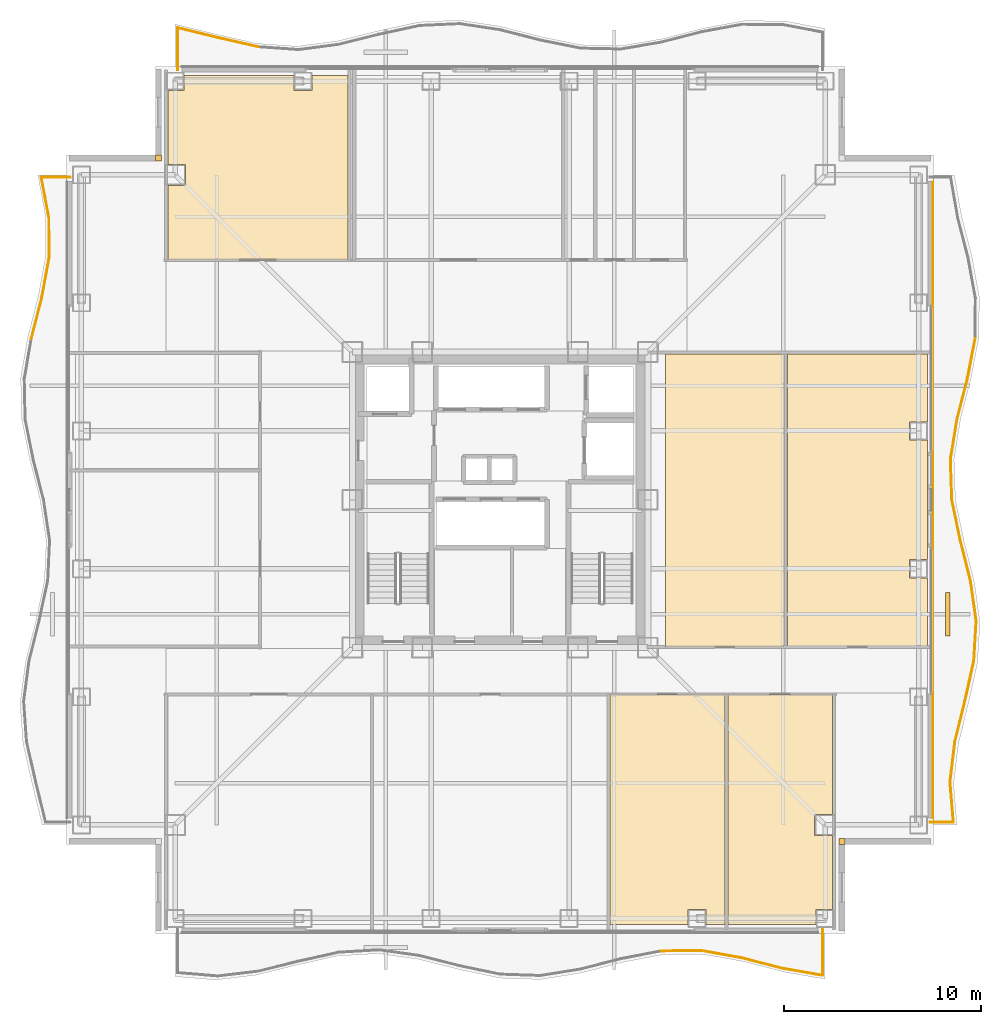
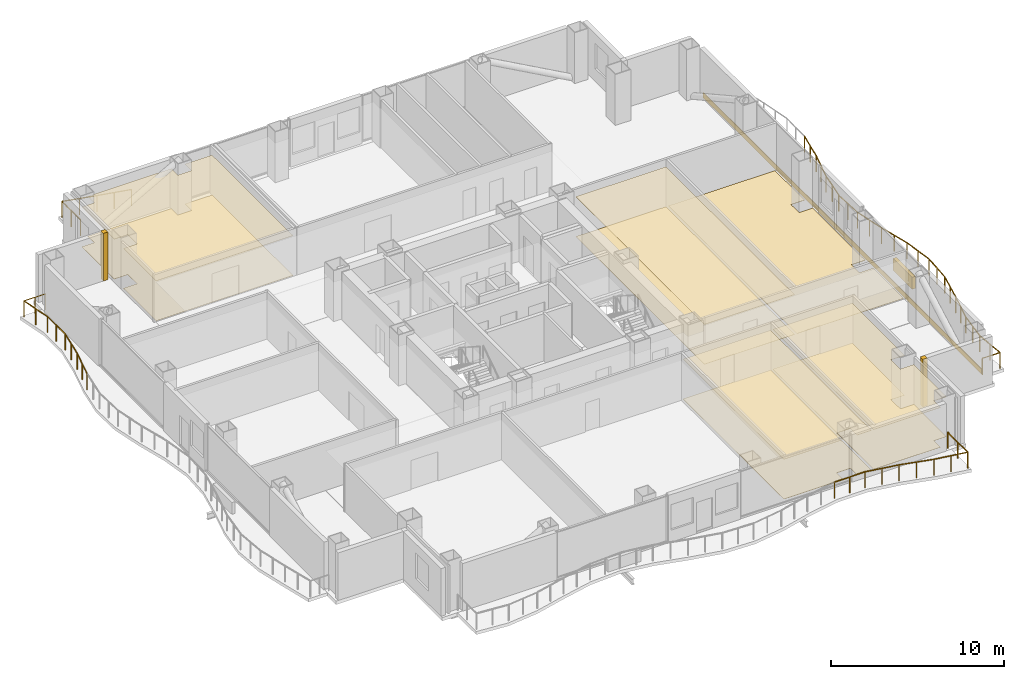
# One storey, part 17 of 18: 26 railings, 12 coverings, 1 shading device.
"""IFC4 building model written with IfcOpenShell, lengths in metres."""

from ifc_helpers import new_model, si_unit, direction, frame, frame_2d, origin, origin_2d, place, context, subcontext, project, spatial, polyline, rectangle, circle, outline, extrude, material, layer, layer_set, type_object, element, save


model = new_model("IFC4")

# Units and contexts
model_context = context("Model", 3, precision=1e-05, world=origin(), true_north=direction((0.0, 1.0)))
body_context = subcontext(model_context, "Body", "Model", "MODEL_VIEW")
ifc_project = project(units=[si_unit("LENGTHUNIT", "METRE"), si_unit("AREAUNIT", "SQUARE_METRE"), si_unit("VOLUMEUNIT", "CUBIC_METRE"), si_unit("PLANEANGLEUNIT", "RADIAN"), si_unit("MASSUNIT", "GRAM", prefix="KILO")], contexts=[model_context])

# Site, building, storey
site_placement = place(None, origin())
site = spatial("IfcSite", under=ifc_project, at=site_placement, CompositionType="ELEMENT")
building_placement = place(site_placement, origin())
building = spatial("IfcBuilding", under=site, at=building_placement, Name="Trevonay Congress Spire", CompositionType="ELEMENT")
storey_placement = place(building_placement, frame((0.0, 0.0, 122.800048828125)))
storey = spatial("IfcBuildingStorey", under=building, at=storey_placement, Name="L31", CompositionType="ELEMENT", Elevation=122.800048828125)

# Coverings
ifc_material_1 = material(Name="Acoustic Mineral Fibre Board", Category="gypsum")
ifc_layer_1 = layer(ifc_material_1, 0.02490234375, Name="Acoustic Mineral Fibre Board")
ifc_layer_set_1 = layer_set([ifc_layer_1], Name="Acoustic Mineral Fibre Board")
covering_type_1 = type_object("IfcCoveringType", Name="COV-CEIL-ACOUSTIC", PredefinedType="CEILING", material=ifc_layer_set_1)
covering_1_placement = place(storey_placement, frame((0.0, 0.0, 2.81005859375)))
element("IfcCovering", 1, at=covering_1_placement, inside=storey, type_object=covering_type_1, Name="L31 Main Finishing Kitchen acoustic suspended ceiling", PredefinedType="CEILING", context=body_context, shape_type="SweptSolid", body=[
    extrude(outline(polyline([(5.580078125, -21.550048828125), (5.580078125, -9.8798828125), (11.419921875, -9.8798828125), (11.419921875, -21.550048828125), (10.4599609375, -21.550048828125), (10.4599609375, -20.7900390625), (9.5400390625, -20.7900390625), (9.5400390625, -21.550048828125), (5.580078125, -21.550048828125)])), origin(), (0.0, 0.0, 1.0), 0.02490234375),
])
covering_2_placement = place(storey_placement, frame((0.0, 0.0, 2.81005859375)))
element("IfcCovering", 2, at=covering_2_placement, inside=storey, type_object=covering_type_1, Name="L31 Dishwash and Pastry Pantry acoustic suspended ceiling", PredefinedType="CEILING", context=body_context, shape_type="SweptSolid", body=[
    extrude(outline(polyline([(11.580078125, -21.550048828125), (11.580078125, -9.8798828125), (16.8701171875, -9.8798828125), (16.8701171875, -15.965087890625), (15.965087890625, -15.965087890625), (15.965087890625, -17.034912109375), (16.8701171875, -17.034912109375), (16.8701171875, -20.7900390625), (16.0400390625, -20.7900390625), (16.0400390625, -21.550048828125), (11.580078125, -21.550048828125)])), origin(), (0.0, 0.0, 1.0), 0.02490234375),
])
covering_3_placement = place(storey_placement, frame((0.0, 0.0, 2.81005859375)))
element("IfcCovering", 3, at=covering_3_placement, inside=storey, type_object=covering_type_1, Name="L31 North-West Terrace Cafe Lounge acoustic suspended ceiling", PredefinedType="CEILING", context=body_context, shape_type="SweptSolid", body=[
    extrude(outline(polyline([(-7.72998046875, 21.550048828125), (-7.72998046875, 12.179931640625), (-16.8701171875, 12.179931640625), (-16.8701171875, 15.965087890625), (-15.965087890625, 15.965087890625), (-15.965087890625, 17.034912109375), (-16.8701171875, 17.034912109375), (-16.8701171875, 20.7900390625), (-16.0400390625, 20.7900390625), (-16.0400390625, 21.550048828125), (-10.4599609375, 21.550048828125), (-10.4599609375, 20.7900390625), (-9.5400390625, 20.7900390625), (-9.5400390625, 21.550048828125), (-7.72998046875, 21.550048828125)])), origin(), (0.0, 0.0, 1.0), 0.02490234375),
])
covering_4_placement = place(storey_placement, frame((0.0, 0.0, 2.81005859375)))
element("IfcCovering", 4, at=covering_4_placement, inside=storey, type_object=covering_type_1, Name="L31 East Briefing Office acoustic suspended ceiling", PredefinedType="CEILING", context=body_context, shape_type="SweptSolid", body=[
    extrude(outline(polyline([(8.39990234375, -7.47998046875), (14.419921875, -7.47998046875), (14.419921875, 7.39990234375), (8.39990234375, 7.39990234375), (8.39990234375, -7.47998046875)])), origin(), (0.0, 0.0, 1.0), 0.02490234375),
])
ifc_material_2 = material(Name="Polished Granite Floor Tile", Category="masonry")
ifc_layer_2 = layer(ifc_material_2, 0.02001953125, Name="Polished Granite Floor Tile")
ifc_layer_set_2 = layer_set([ifc_layer_2], Name="Polished Granite Floor Tile")
covering_type_2 = type_object("IfcCoveringType", Name="COV-FLOOR-STONE", PredefinedType="FLOORING", material=ifc_layer_set_2)
covering_5_placement = place(storey_placement, origin())
element("IfcCovering", 5, at=covering_5_placement, inside=storey, type_object=covering_type_2, Name="L31 Main Finishing Kitchen floor finish", PredefinedType="FLOORING", context=body_context, shape_type="SweptSolid", body=[
    extrude(outline(polyline([(5.580078125, -21.550048828125), (5.580078125, -9.8798828125), (11.419921875, -9.8798828125), (11.419921875, -21.550048828125), (10.4599609375, -21.550048828125), (10.4599609375, -20.7900390625), (9.5400390625, -20.7900390625), (9.5400390625, -21.550048828125), (5.580078125, -21.550048828125)])), origin(), (0.0, 0.0, 1.0), 0.02001953125),
])
covering_6_placement = place(storey_placement, origin())
element("IfcCovering", 6, at=covering_6_placement, inside=storey, type_object=covering_type_2, Name="L31 Dishwash and Pastry Pantry floor finish", PredefinedType="FLOORING", context=body_context, shape_type="SweptSolid", body=[
    extrude(outline(polyline([(11.580078125, -21.550048828125), (11.580078125, -9.8798828125), (16.8701171875, -9.8798828125), (16.8701171875, -15.965087890625), (15.965087890625, -15.965087890625), (15.965087890625, -17.034912109375), (16.8701171875, -17.034912109375), (16.8701171875, -20.7900390625), (16.0400390625, -20.7900390625), (16.0400390625, -21.550048828125), (11.580078125, -21.550048828125)])), origin(), (0.0, 0.0, 1.0), 0.02001953125),
])
covering_7_placement = place(storey_placement, origin())
element("IfcCovering", 7, at=covering_7_placement, inside=storey, type_object=covering_type_2, Name="L31 Archive Copy Room floor finish", PredefinedType="FLOORING", context=body_context, shape_type="SweptSolid", body=[
    extrude(outline(polyline([(21.699951171875, -7.47998046875), (14.580078125, -7.47998046875), (14.580078125, 7.39990234375), (21.699951171875, 7.39990234375), (21.699951171875, 3.9599609375), (20.7900390625, 3.9599609375), (20.7900390625, 3.0400390625), (21.699951171875, 3.0400390625), (21.699951171875, -3.0400390625), (20.7900390625, -3.0400390625), (20.7900390625, -3.9599609375), (21.699951171875, -3.9599609375), (21.699951171875, -7.47998046875)])), origin(), (0.0, 0.0, 1.0), 0.02001953125),
])
ifc_material_3 = material(Name="Engineered Oak Flooring", Category="wood")
ifc_layer_3 = layer(ifc_material_3, 0.01806640625, Name="Engineered Oak Flooring")
ifc_layer_set_3 = layer_set([ifc_layer_3], Name="Engineered Oak Flooring")
covering_type_3 = type_object("IfcCoveringType", Name="COV-FLOOR-TIMBER", PredefinedType="FLOORING", material=ifc_layer_set_3)
covering_8_placement = place(storey_placement, origin())
element("IfcCovering", 8, at=covering_8_placement, inside=storey, type_object=covering_type_3, Name="L31 North-West Terrace Cafe Lounge floor finish", PredefinedType="FLOORING", context=body_context, shape_type="SweptSolid", body=[
    extrude(outline(polyline([(-7.72998046875, 21.550048828125), (-7.72998046875, 12.179931640625), (-16.8701171875, 12.179931640625), (-16.8701171875, 15.965087890625), (-15.965087890625, 15.965087890625), (-15.965087890625, 17.034912109375), (-16.8701171875, 17.034912109375), (-16.8701171875, 20.7900390625), (-16.0400390625, 20.7900390625), (-16.0400390625, 21.550048828125), (-10.4599609375, 21.550048828125), (-10.4599609375, 20.7900390625), (-9.5400390625, 20.7900390625), (-9.5400390625, 21.550048828125), (-7.72998046875, 21.550048828125)])), origin(), (0.0, 0.0, 1.0), 0.01806640625),
])
covering_9_placement = place(storey_placement, origin())
element("IfcCovering", 9, at=covering_9_placement, inside=storey, type_object=covering_type_3, Name="L31 East Briefing Office floor finish", PredefinedType="FLOORING", context=body_context, shape_type="SweptSolid", body=[
    extrude(outline(polyline([(8.39990234375, -7.47998046875), (14.419921875, -7.47998046875), (14.419921875, 7.39990234375), (8.39990234375, 7.39990234375), (8.39990234375, -7.47998046875)])), origin(), (0.0, 0.0, 1.0), 0.01806640625),
])
ifc_material_4 = material(Name="Pale Anodised Aluminium EN AW-6063-T6", Category="aluminium")
ifc_layer_4 = layer(ifc_material_4, 0.0400390625, Name="Pale Anodised Aluminium EN AW-6063-T6")
ifc_layer_set_4 = layer_set([ifc_layer_4], Name="Pale Anodised Aluminium EN AW-6063-T6")
covering_type_4 = type_object("IfcCoveringType", Name="COV-SPANDREL-PALE-METAL", PredefinedType="CLADDING", material=ifc_layer_set_4)
covering_10_placement = place(storey_placement, frame((21.97998046875, -16.14990234375, -0.239990234375), z_axis=(0.0, 0.0, 1.0), x_axis=(0.0, 1.0, 0.0)))
element("IfcCovering", 10, at=covering_10_placement, inside=storey, type_object=covering_type_4, Name="L31 E pale-metal slab-edge spandrel cladding", PredefinedType="CLADDING", context=body_context, shape_type="SweptSolid", body=[
    extrude(rectangle(XDim=32.2998046875, YDim=0.0400390625, at=frame_2d((16.14990234375, 0.0))), origin(), (0.0, 0.0, 1.0), 0.35986328125),
])
covering_11_placement = place(storey_placement, origin())
element("IfcCovering", 11, at=covering_11_placement, inside=storey, type_object=covering_type_4, Name="L31 SE re-entrant notch corner closure trim", PredefinedType="CLADDING", context=body_context, shape_type="SweptSolid", body=[
    extrude(outline(polyline([(17.199951171875, -17.5), (17.5, -17.5), (17.5, -17.199951171875), (17.199951171875, -17.199951171875), (17.199951171875, -17.5)])), origin(), (0.0, 0.0, 1.0), 3.35986328125),
])
covering_12_placement = place(storey_placement, origin())
element("IfcCovering", 12, at=covering_12_placement, inside=storey, type_object=covering_type_4, Name="L31 NW re-entrant notch corner closure trim", PredefinedType="CLADDING", context=body_context, shape_type="SweptSolid", body=[
    extrude(outline(polyline([(-17.5, 17.199951171875), (-17.199951171875, 17.199951171875), (-17.199951171875, 17.5), (-17.5, 17.5), (-17.5, 17.199951171875)])), origin(), (0.0, 0.0, 1.0), 3.35986328125),
])

# Railings
railing_type = type_object("IfcRailingType", Name="RAL-EXT-GUARD-115", PredefinedType="GUARDRAIL", material=ifc_material_4)
railing_1_placement = place(storey_placement, frame((8.18408203125, -22.904052734375, 0.0)))
element("IfcRailing", 13, at=railing_1_placement, inside=storey, type_object=railing_type, Name="L31 perimeter safety guard GRD-L31-WAV-S-13", PredefinedType="GUARDRAIL", context=body_context, shape_type="SweptSolid", body=[
    extrude(circle(Radius=0.02392578125, at=origin_2d()), frame((0.0, 0.0, 1.1259765625), z_axis=(0.999961012983, 0.008830204649, 0.0), x_axis=(-0.008830204649, 0.999961012983, 0.0)), (0.0, 0.0, 1.0), 2.0458984375),
    extrude(circle(Radius=0.02099609375, at=origin_2d()), origin(), (0.0, 0.0, 1.0), 1.101806640625),
    extrude(circle(Radius=0.02099609375, at=origin_2d()), frame((1.02294921875, 0.009033203125, 0.0)), (0.0, 0.0, 1.0), 1.101806640625),
    extrude(circle(Radius=0.02099609375, at=origin_2d()), frame((2.0458984375, 0.01806640625, 0.0)), (0.0, 0.0, 1.0), 1.101806640625),
])
railing_2_placement = place(storey_placement, frame((10.22998046875, -22.885986328125, 0.0)))
element("IfcRailing", 14, at=railing_2_placement, inside=storey, type_object=railing_type, Name="L31 perimeter safety guard GRD-L31-WAV-S-14", PredefinedType="GUARDRAIL", context=body_context, shape_type="SweptSolid", body=[
    extrude(circle(Radius=0.02392578125, at=origin_2d()), frame((0.0, 0.0, 1.1259765625), z_axis=(0.98402734734, -0.178017357824, 0.0), x_axis=(0.178017357824, 0.98402734734, 0.0)), (0.0, 0.0, 1.0), 2.0791015625),
    extrude(circle(Radius=0.02099609375, at=origin_2d()), origin(), (0.0, 0.0, 1.0), 1.101806640625),
    extrude(circle(Radius=0.02099609375, at=origin_2d()), frame((1.02294921875, -0.18505859375, 0.0)), (0.0, 0.0, 1.0), 1.101806640625),
    extrude(circle(Radius=0.02099609375, at=origin_2d()), frame((2.0458984375, -0.3701171875, 0.0)), (0.0, 0.0, 1.0), 1.101806640625),
])
railing_3_placement = place(storey_placement, frame((12.27587890625, -23.256103515625, 0.0)))
element("IfcRailing", 15, at=railing_3_placement, inside=storey, type_object=railing_type, Name="L31 perimeter safety guard GRD-L31-WAV-S-15", PredefinedType="GUARDRAIL", context=body_context, shape_type="SweptSolid", body=[
    extrude(circle(Radius=0.02392578125, at=origin_2d()), frame((0.0, 0.0, 1.1259765625), z_axis=(0.968300764645, -0.24978716778, 0.0), x_axis=(0.24978716778, 0.968300764645, 0.0)), (0.0, 0.0, 1.0), 2.113037109375),
    extrude(circle(Radius=0.02099609375, at=origin_2d()), origin(), (0.0, 0.0, 1.0), 1.101806640625),
    extrude(circle(Radius=0.02099609375, at=origin_2d()), frame((1.02294921875, -0.263916015625, 0.0)), (0.0, 0.0, 1.0), 1.101806640625),
    extrude(circle(Radius=0.02099609375, at=origin_2d()), frame((2.046142578125, -0.52783203125, 0.0)), (0.0, 0.0, 1.0), 1.101806640625),
])
railing_4_placement = place(storey_placement, frame((14.322021484375, -23.783935546875, 0.0)))
element("IfcRailing", 16, at=railing_4_placement, inside=storey, type_object=railing_type, Name="L31 perimeter safety guard GRD-L31-WAV-S-16", PredefinedType="GUARDRAIL", context=body_context, shape_type="SweptSolid", body=[
    extrude(circle(Radius=0.02392578125, at=origin_2d()), frame((0.0, 0.0, 1.1259765625), z_axis=(0.985100248391, -0.171981105417, 0.0), x_axis=(0.171981105417, 0.985100248391, 0.0)), (0.0, 0.0, 1.0), 2.076904296875),
    extrude(circle(Radius=0.02099609375, at=origin_2d()), origin(), (0.0, 0.0, 1.0), 1.101806640625),
    extrude(circle(Radius=0.02099609375, at=origin_2d()), frame((1.02294921875, -0.1787109375, 0.0)), (0.0, 0.0, 1.0), 1.101806640625),
    extrude(circle(Radius=0.02099609375, at=origin_2d()), frame((2.0458984375, -0.357177734375, 0.0)), (0.0, 0.0, 1.0), 1.101806640625),
])
railing_5_placement = place(storey_placement, frame((16.367919921875, -24.14111328125, 0.0)))
element("IfcRailing", 17, at=railing_5_placement, inside=storey, type_object=railing_type, Name="L31 perimeter safety guard GRD-L31-WAV-S-17", PredefinedType="GUARDRAIL", context=body_context, shape_type="SweptSolid", body=[
    extrude(circle(Radius=0.02392578125, at=origin_2d()), frame((0.0, 0.0, 1.1259765625), z_axis=(0.0, 1.0, 0.0), x_axis=(-1.0, 0.0, 0.0)), (0.0, 0.0, 1.0), 2.317138671875),
    extrude(circle(Radius=0.02099609375, at=origin_2d()), origin(), (0.0, 0.0, 1.0), 1.101806640625),
    extrude(circle(Radius=0.02099609375, at=origin_2d()), frame((0.0, 1.15869140625, 0.0)), (0.0, 0.0, 1.0), 1.101806640625),
    extrude(circle(Radius=0.02099609375, at=origin_2d()), frame((0.0, 2.317138671875, 0.0)), (0.0, 0.0, 1.0), 1.101806640625),
])
railing_6_placement = place(storey_placement, frame((-12.27587890625, 22.991943359375, 0.0)))
element("IfcRailing", 18, at=railing_6_placement, inside=storey, type_object=railing_type, Name="L31 perimeter safety guard GRD-L31-WAV-N-32", PredefinedType="GUARDRAIL", context=body_context, shape_type="SweptSolid", body=[
    extrude(circle(Radius=0.02392578125, at=origin_2d()), frame((0.0, 0.0, 1.1259765625), z_axis=(-0.974925604529, 0.222531044203, 0.0), x_axis=(-0.222531044203, -0.974925604529, 0.0)), (0.0, 0.0, 1.0), 2.098876953125),
    extrude(circle(Radius=0.02099609375, at=origin_2d()), origin(), (0.0, 0.0, 1.0), 1.101806640625),
    extrude(circle(Radius=0.02099609375, at=origin_2d()), frame((-1.02294921875, 0.2333984375, 0.0)), (0.0, 0.0, 1.0), 1.101806640625),
    extrude(circle(Radius=0.02099609375, at=origin_2d()), frame((-2.046142578125, 0.467041015625, 0.0)), (0.0, 0.0, 1.0), 1.101806640625),
])
railing_7_placement = place(storey_placement, frame((-14.322021484375, 23.458984375, 0.0)))
element("IfcRailing", 19, at=railing_7_placement, inside=storey, type_object=railing_type, Name="L31 perimeter safety guard GRD-L31-WAV-N-33", PredefinedType="GUARDRAIL", context=body_context, shape_type="SweptSolid", body=[
    extrude(circle(Radius=0.02392578125, at=origin_2d()), frame((0.0, 0.0, 1.1259765625), z_axis=(-0.971410888987, 0.237404475017, 0.0), x_axis=(-0.237404475017, -0.971410888987, 0.0)), (0.0, 0.0, 1.0), 2.106201171875),
    extrude(circle(Radius=0.02099609375, at=origin_2d()), origin(), (0.0, 0.0, 1.0), 1.101806640625),
    extrude(circle(Radius=0.02099609375, at=origin_2d()), frame((-1.02294921875, 0.25, 0.0)), (0.0, 0.0, 1.0), 1.101806640625),
    extrude(circle(Radius=0.02099609375, at=origin_2d()), frame((-2.0458984375, 0.5, 0.0)), (0.0, 0.0, 1.0), 1.101806640625),
])
railing_8_placement = place(storey_placement, frame((-16.367919921875, 23.958984375, 0.0)))
element("IfcRailing", 20, at=railing_8_placement, inside=storey, type_object=railing_type, Name="L31 perimeter safety guard GRD-L31-WAV-N-34", PredefinedType="GUARDRAIL", context=body_context, shape_type="SweptSolid", body=[
    extrude(circle(Radius=0.02392578125, at=origin_2d()), frame((0.0, 0.0, 1.1259765625), z_axis=(0.0, -1.0, 0.0), x_axis=(1.0, 0.0, 0.0)), (0.0, 0.0, 1.0), 2.135009765625),
    extrude(circle(Radius=0.02099609375, at=origin_2d()), origin(), (0.0, 0.0, 1.0), 1.101806640625),
    extrude(circle(Radius=0.02099609375, at=origin_2d()), frame((0.0, -1.0673828125, 0.0)), (0.0, 0.0, 1.0), 1.101806640625),
    extrude(circle(Radius=0.02099609375, at=origin_2d()), frame((0.0, -2.135009765625, 0.0)), (0.0, 0.0, 1.0), 1.101806640625),
])
railing_9_placement = place(storey_placement, frame((23.011962890625, -16.367919921875, 0.0)))
element("IfcRailing", 21, at=railing_9_placement, inside=storey, type_object=railing_type, Name="L31 perimeter safety guard GRD-L31-WAV-E-1", PredefinedType="GUARDRAIL", context=body_context, shape_type="SweptSolid", body=[
    extrude(circle(Radius=0.02392578125, at=origin_2d()), frame((0.0, 0.0, 1.1259765625), z_axis=(-0.082297446975, 0.99660781164, 0.0), x_axis=(-0.99660781164, -0.082297446975, 0.0)), (0.0, 0.0, 1.0), 2.052978515625),
    extrude(circle(Radius=0.02099609375, at=origin_2d()), origin(), (0.0, 0.0, 1.0), 1.101806640625),
    extrude(circle(Radius=0.02099609375, at=origin_2d()), frame((-0.08447265625, 1.02294921875, 0.0)), (0.0, 0.0, 1.0), 1.101806640625),
    extrude(circle(Radius=0.02099609375, at=origin_2d()), frame((-0.1689453125, 2.0458984375, 0.0)), (0.0, 0.0, 1.0), 1.101806640625),
])
railing_10_placement = place(storey_placement, frame((22.843017578125, -14.322021484375, 0.0)))
element("IfcRailing", 22, at=railing_10_placement, inside=storey, type_object=railing_type, Name="L31 perimeter safety guard GRD-L31-WAV-E-2", PredefinedType="GUARDRAIL", context=body_context, shape_type="SweptSolid", body=[
    extrude(circle(Radius=0.02392578125, at=origin_2d()), frame((0.0, 0.0, 1.1259765625), z_axis=(0.118360308147, 0.992970713292, 0.0), x_axis=(-0.992970713292, 0.118360308147, 0.0)), (0.0, 0.0, 1.0), 2.060546875),
    extrude(circle(Radius=0.02099609375, at=origin_2d()), origin(), (0.0, 0.0, 1.0), 1.101806640625),
    extrude(circle(Radius=0.02099609375, at=origin_2d()), frame((0.1220703125, 1.02294921875, 0.0)), (0.0, 0.0, 1.0), 1.101806640625),
    extrude(circle(Radius=0.02099609375, at=origin_2d()), frame((0.243896484375, 2.046142578125, 0.0)), (0.0, 0.0, 1.0), 1.101806640625),
])
railing_11_placement = place(storey_placement, frame((23.0869140625, -12.27587890625, 0.0)))
element("IfcRailing", 23, at=railing_11_placement, inside=storey, type_object=railing_type, Name="L31 perimeter safety guard GRD-L31-WAV-E-3", PredefinedType="GUARDRAIL", context=body_context, shape_type="SweptSolid", body=[
    extrude(circle(Radius=0.02392578125, at=origin_2d()), frame((0.0, 0.0, 1.1259765625), z_axis=(0.241009302884, 0.970522805463, 0.0), x_axis=(-0.970522805463, 0.241009302884, 0.0)), (0.0, 0.0, 1.0), 2.108154296875),
    extrude(circle(Radius=0.02099609375, at=origin_2d()), origin(), (0.0, 0.0, 1.0), 1.101806640625),
    extrude(circle(Radius=0.02099609375, at=origin_2d()), frame((0.25390625, 1.02294921875, 0.0)), (0.0, 0.0, 1.0), 1.101806640625),
    extrude(circle(Radius=0.02099609375, at=origin_2d()), frame((0.508056640625, 2.0458984375, 0.0)), (0.0, 0.0, 1.0), 1.101806640625),
])
railing_12_placement = place(storey_placement, frame((23.594970703125, -10.22998046875, 0.0)))
element("IfcRailing", 24, at=railing_12_placement, inside=storey, type_object=railing_type, Name="L31 perimeter safety guard GRD-L31-WAV-E-4", PredefinedType="GUARDRAIL", context=body_context, shape_type="SweptSolid", body=[
    extrude(circle(Radius=0.02392578125, at=origin_2d()), frame((0.0, 0.0, 1.1259765625), z_axis=(0.216683752122, 0.97624185096, 0.0), x_axis=(-0.97624185096, 0.216683752122, 0.0)), (0.0, 0.0, 1.0), 2.095703125),
    extrude(circle(Radius=0.02099609375, at=origin_2d()), origin(), (0.0, 0.0, 1.0), 1.101806640625),
    extrude(circle(Radius=0.02099609375, at=origin_2d()), frame((0.22705078125, 1.02294921875, 0.0)), (0.0, 0.0, 1.0), 1.101806640625),
    extrude(circle(Radius=0.02099609375, at=origin_2d()), frame((0.4541015625, 2.0458984375, 0.0)), (0.0, 0.0, 1.0), 1.101806640625),
])
railing_13_placement = place(storey_placement, frame((24.049072265625, -8.18408203125, 0.0)))
element("IfcRailing", 25, at=railing_13_placement, inside=storey, type_object=railing_type, Name="L31 perimeter safety guard GRD-L31-WAV-E-5", PredefinedType="GUARDRAIL", context=body_context, shape_type="SweptSolid", body=[
    extrude(circle(Radius=0.02392578125, at=origin_2d()), frame((0.0, 0.0, 1.1259765625), z_axis=(0.058959418717, 0.998260380334, 0.0), x_axis=(-0.998260380334, 0.058959418717, 0.0)), (0.0, 0.0, 1.0), 2.0498046875),
    extrude(circle(Radius=0.02099609375, at=origin_2d()), origin(), (0.0, 0.0, 1.0), 1.101806640625),
    extrude(circle(Radius=0.02099609375, at=origin_2d()), frame((0.060546875, 1.02294921875, 0.0)), (0.0, 0.0, 1.0), 1.101806640625),
    extrude(circle(Radius=0.02099609375, at=origin_2d()), frame((0.120849609375, 2.046142578125, 0.0)), (0.0, 0.0, 1.0), 1.101806640625),
])
railing_14_placement = place(storey_placement, frame((24.169921875, -6.137939453125, 0.0)))
element("IfcRailing", 26, at=railing_14_placement, inside=storey, type_object=railing_type, Name="L31 perimeter safety guard GRD-L31-WAV-E-6", PredefinedType="GUARDRAIL", context=body_context, shape_type="SweptSolid", body=[
    extrude(circle(Radius=0.02392578125, at=origin_2d()), frame((0.0, 0.0, 1.1259765625), z_axis=(-0.140362647996, 0.990100160109, 0.0), x_axis=(-0.990100160109, -0.140362647996, 0.0)), (0.0, 0.0, 1.0), 2.06640625),
    extrude(circle(Radius=0.02099609375, at=origin_2d()), origin(), (0.0, 0.0, 1.0), 1.101806640625),
    extrude(circle(Radius=0.02099609375, at=origin_2d()), frame((-0.14501953125, 1.02294921875, 0.0)), (0.0, 0.0, 1.0), 1.101806640625),
    extrude(circle(Radius=0.02099609375, at=origin_2d()), frame((-0.2900390625, 2.0458984375, 0.0)), (0.0, 0.0, 1.0), 1.101806640625),
])
railing_15_placement = place(storey_placement, frame((23.8798828125, -4.092041015625, 0.0)))
element("IfcRailing", 27, at=railing_15_placement, inside=storey, type_object=railing_type, Name="L31 perimeter safety guard GRD-L31-WAV-E-7", PredefinedType="GUARDRAIL", context=body_context, shape_type="SweptSolid", body=[
    extrude(circle(Radius=0.02392578125, at=origin_2d()), frame((0.0, 0.0, 1.1259765625), z_axis=(-0.245337930204, 0.969437620481, 0.0), x_axis=(-0.969437620481, -0.245337930204, 0.0)), (0.0, 0.0, 1.0), 2.110595703125),
    extrude(circle(Radius=0.02099609375, at=origin_2d()), origin(), (0.0, 0.0, 1.0), 1.101806640625),
    extrude(circle(Radius=0.02099609375, at=origin_2d()), frame((-0.2587890625, 1.02294921875, 0.0)), (0.0, 0.0, 1.0), 1.101806640625),
    extrude(circle(Radius=0.02099609375, at=origin_2d()), frame((-0.517822265625, 2.046142578125, 0.0)), (0.0, 0.0, 1.0), 1.101806640625),
])
railing_16_placement = place(storey_placement, frame((23.362060546875, -2.0458984375, 0.0)))
element("IfcRailing", 28, at=railing_16_placement, inside=storey, type_object=railing_type, Name="L31 perimeter safety guard GRD-L31-WAV-E-8", PredefinedType="GUARDRAIL", context=body_context, shape_type="SweptSolid", body=[
    extrude(circle(Radius=0.02392578125, at=origin_2d()), frame((0.0, 0.0, 1.1259765625), z_axis=(-0.2043087663, 0.978906496052, 0.0), x_axis=(-0.978906496052, -0.2043087663, 0.0)), (0.0, 0.0, 1.0), 2.090087890625),
    extrude(circle(Radius=0.02099609375, at=origin_2d()), origin(), (0.0, 0.0, 1.0), 1.101806640625),
    extrude(circle(Radius=0.02099609375, at=origin_2d()), frame((-0.21337890625, 1.02294921875, 0.0)), (0.0, 0.0, 1.0), 1.101806640625),
    extrude(circle(Radius=0.02099609375, at=origin_2d()), frame((-0.427001953125, 2.0458984375, 0.0)), (0.0, 0.0, 1.0), 1.101806640625),
])
railing_17_placement = place(storey_placement, frame((22.93505859375, 0.0, 0.0)))
element("IfcRailing", 29, at=railing_17_placement, inside=storey, type_object=railing_type, Name="L31 perimeter safety guard GRD-L31-WAV-E-9", PredefinedType="GUARDRAIL", context=body_context, shape_type="SweptSolid", body=[
    extrude(circle(Radius=0.02392578125, at=origin_2d()), frame((0.0, 0.0, 1.1259765625), z_axis=(-0.033751642129, 0.99943025102, 0.0), x_axis=(-0.99943025102, -0.033751642129, 0.0)), (0.0, 0.0, 1.0), 2.047119140625),
    extrude(circle(Radius=0.02099609375, at=origin_2d()), origin(), (0.0, 0.0, 1.0), 1.101806640625),
    extrude(circle(Radius=0.02099609375, at=origin_2d()), frame((-0.03466796875, 1.02294921875, 0.0)), (0.0, 0.0, 1.0), 1.101806640625),
    extrude(circle(Radius=0.02099609375, at=origin_2d()), frame((-0.069091796875, 2.0458984375, 0.0)), (0.0, 0.0, 1.0), 1.101806640625),
])
railing_18_placement = place(storey_placement, frame((22.865966796875, 2.0458984375, 0.0)))
element("IfcRailing", 30, at=railing_18_placement, inside=storey, type_object=railing_type, Name="L31 perimeter safety guard GRD-L31-WAV-E-10", PredefinedType="GUARDRAIL", context=body_context, shape_type="SweptSolid", body=[
    extrude(circle(Radius=0.02392578125, at=origin_2d()), frame((0.0, 0.0, 1.1259765625), z_axis=(0.159717539395, 0.987162756393, 0.0), x_axis=(-0.987162756393, 0.159717539395, 0.0)), (0.0, 0.0, 1.0), 2.07275390625),
    extrude(circle(Radius=0.02099609375, at=origin_2d()), origin(), (0.0, 0.0, 1.0), 1.101806640625),
    extrude(circle(Radius=0.02099609375, at=origin_2d()), frame((0.16552734375, 1.02294921875, 0.0)), (0.0, 0.0, 1.0), 1.101806640625),
    extrude(circle(Radius=0.02099609375, at=origin_2d()), frame((0.3310546875, 2.046142578125, 0.0)), (0.0, 0.0, 1.0), 1.101806640625),
])
railing_19_placement = place(storey_placement, frame((23.197021484375, 4.092041015625, 0.0)))
element("IfcRailing", 31, at=railing_19_placement, inside=storey, type_object=railing_type, Name="L31 perimeter safety guard GRD-L31-WAV-E-11", PredefinedType="GUARDRAIL", context=body_context, shape_type="SweptSolid", body=[
    extrude(circle(Radius=0.02392578125, at=origin_2d()), frame((0.0, 0.0, 1.1259765625), z_axis=(0.248948118649, 0.968516821858, 0.0), x_axis=(-0.968516821858, 0.248948118649, 0.0)), (0.0, 0.0, 1.0), 2.1123046875),
    extrude(circle(Radius=0.02099609375, at=origin_2d()), origin(), (0.0, 0.0, 1.0), 1.101806640625),
    extrude(circle(Radius=0.02099609375, at=origin_2d()), frame((0.262939453125, 1.02294921875, 0.0)), (0.0, 0.0, 1.0), 1.101806640625),
    extrude(circle(Radius=0.02099609375, at=origin_2d()), frame((0.52587890625, 2.0458984375, 0.0)), (0.0, 0.0, 1.0), 1.101806640625),
])
railing_20_placement = place(storey_placement, frame((23.722900390625, 6.137939453125, 0.0)))
element("IfcRailing", 32, at=railing_20_placement, inside=storey, type_object=railing_type, Name="L31 perimeter safety guard GRD-L31-WAV-E-12", PredefinedType="GUARDRAIL", context=body_context, shape_type="SweptSolid", body=[
    extrude(circle(Radius=0.02392578125, at=origin_2d()), frame((0.0, 0.0, 1.1259765625), z_axis=(0.189103778947, 0.981957107407, 0.0), x_axis=(-0.981957107407, 0.189103778947, 0.0)), (0.0, 0.0, 1.0), 2.083740234375),
    extrude(circle(Radius=0.02099609375, at=origin_2d()), origin(), (0.0, 0.0, 1.0), 1.101806640625),
    extrude(circle(Radius=0.02099609375, at=origin_2d()), frame((0.197021484375, 1.02294921875, 0.0)), (0.0, 0.0, 1.0), 1.101806640625),
    extrude(circle(Radius=0.02099609375, at=origin_2d()), frame((0.39404296875, 2.046142578125, 0.0)), (0.0, 0.0, 1.0), 1.101806640625),
])
railing_21_placement = place(storey_placement, frame((21.823974609375, -16.367919921875, 0.0)))
element("IfcRailing", 33, at=railing_21_placement, inside=storey, type_object=railing_type, Name="L31 perimeter safety guard GRD-L31-WAV-E-34", PredefinedType="GUARDRAIL", context=body_context, shape_type="SweptSolid", body=[
    extrude(circle(Radius=0.02392578125, at=origin_2d()), frame((0.0, 0.0, 1.1259765625), z_axis=(1.0, 0.0, 0.0), x_axis=(0.0, 1.0, 0.0)), (0.0, 0.0, 1.0), 1.18798828125),
    extrude(circle(Radius=0.02099609375, at=origin_2d()), origin(), (0.0, 0.0, 1.0), 1.101806640625),
    extrude(circle(Radius=0.02099609375, at=origin_2d()), frame((1.18798828125, 0.0, 0.0)), (0.0, 0.0, 1.0), 1.101806640625),
])
railing_22_placement = place(storey_placement, frame((-21.823974609375, 16.367919921875, 0.0)))
element("IfcRailing", 34, at=railing_22_placement, inside=storey, type_object=railing_type, Name="L31 perimeter safety guard GRD-L31-WAV-W-17", PredefinedType="GUARDRAIL", context=body_context, shape_type="SweptSolid", body=[
    extrude(circle(Radius=0.02392578125, at=origin_2d()), frame((0.0, 0.0, 1.1259765625), z_axis=(-1.0, 0.0, 0.0), x_axis=(0.0, -1.0, 0.0)), (0.0, 0.0, 1.0), 1.463134765625),
    extrude(circle(Radius=0.02099609375, at=origin_2d()), origin(), (0.0, 0.0, 1.0), 1.101806640625),
    extrude(circle(Radius=0.02099609375, at=origin_2d()), frame((-0.7314453125, 0.0, 0.0)), (0.0, 0.0, 1.0), 1.101806640625),
    extrude(circle(Radius=0.02099609375, at=origin_2d()), frame((-1.463134765625, 0.0, 0.0)), (0.0, 0.0, 1.0), 1.101806640625),
])
railing_23_placement = place(storey_placement, frame((-23.287109375, 16.367919921875, 0.0)))
element("IfcRailing", 35, at=railing_23_placement, inside=storey, type_object=railing_type, Name="L31 perimeter safety guard GRD-L31-WAV-W-18", PredefinedType="GUARDRAIL", context=body_context, shape_type="SweptSolid", body=[
    extrude(circle(Radius=0.02392578125, at=origin_2d()), frame((0.0, 0.0, 1.1259765625), z_axis=(0.186411698477, -0.982471719018, 0.0), x_axis=(0.982471719018, 0.186411698477, 0.0)), (0.0, 0.0, 1.0), 2.08251953125),
    extrude(circle(Radius=0.02099609375, at=origin_2d()), origin(), (0.0, 0.0, 1.0), 1.101806640625),
    extrude(circle(Radius=0.02099609375, at=origin_2d()), frame((0.194091796875, -1.02294921875, 0.0)), (0.0, 0.0, 1.0), 1.101806640625),
    extrude(circle(Radius=0.02099609375, at=origin_2d()), frame((0.38818359375, -2.0458984375, 0.0)), (0.0, 0.0, 1.0), 1.101806640625),
])
railing_24_placement = place(storey_placement, frame((-22.89892578125, 14.322021484375, 0.0)))
element("IfcRailing", 36, at=railing_24_placement, inside=storey, type_object=railing_type, Name="L31 perimeter safety guard GRD-L31-WAV-W-19", PredefinedType="GUARDRAIL", context=body_context, shape_type="SweptSolid", body=[
    extrude(circle(Radius=0.02392578125, at=origin_2d()), frame((0.0, 0.0, 1.1259765625), z_axis=(0.003818132293, -0.999992710906, 0.0), x_axis=(0.999992710906, 0.003818132293, 0.0)), (0.0, 0.0, 1.0), 2.046142578125),
    extrude(circle(Radius=0.02099609375, at=origin_2d()), origin(), (0.0, 0.0, 1.0), 1.101806640625),
    extrude(circle(Radius=0.02099609375, at=origin_2d()), frame((0.00390625, -1.02294921875, 0.0)), (0.0, 0.0, 1.0), 1.101806640625),
    extrude(circle(Radius=0.02099609375, at=origin_2d()), frame((0.0078125, -2.046142578125, 0.0)), (0.0, 0.0, 1.0), 1.101806640625),
])
railing_25_placement = place(storey_placement, frame((-22.89111328125, 12.27587890625, 0.0)))
element("IfcRailing", 37, at=railing_25_placement, inside=storey, type_object=railing_type, Name="L31 perimeter safety guard GRD-L31-WAV-W-20", PredefinedType="GUARDRAIL", context=body_context, shape_type="SweptSolid", body=[
    extrude(circle(Radius=0.02392578125, at=origin_2d()), frame((0.0, 0.0, 1.1259765625), z_axis=(-0.180744202071, -0.983530138541, 0.0), x_axis=(0.983530138541, -0.180744202071, 0.0)), (0.0, 0.0, 1.0), 2.080078125),
    extrude(circle(Radius=0.02099609375, at=origin_2d()), origin(), (0.0, 0.0, 1.0), 1.101806640625),
    extrude(circle(Radius=0.02099609375, at=origin_2d()), frame((-0.18798828125, -1.02294921875, 0.0)), (0.0, 0.0, 1.0), 1.101806640625),
    extrude(circle(Radius=0.02099609375, at=origin_2d()), frame((-0.3759765625, -2.0458984375, 0.0)), (0.0, 0.0, 1.0), 1.101806640625),
])
railing_26_placement = place(storey_placement, frame((-23.26708984375, 10.22998046875, 0.0)))
element("IfcRailing", 38, at=railing_26_placement, inside=storey, type_object=railing_type, Name="L31 perimeter safety guard GRD-L31-WAV-W-21", PredefinedType="GUARDRAIL", context=body_context, shape_type="SweptSolid", body=[
    extrude(circle(Radius=0.02392578125, at=origin_2d()), frame((0.0, 0.0, 1.1259765625), z_axis=(-0.249815115205, -0.968293554773, 0.0), x_axis=(0.968293554773, -0.249815115205, 0.0)), (0.0, 0.0, 1.0), 2.11279296875),
    extrude(circle(Radius=0.02099609375, at=origin_2d()), origin(), (0.0, 0.0, 1.0), 1.101806640625),
    extrude(circle(Radius=0.02099609375, at=origin_2d()), frame((-0.263916015625, -1.02294921875, 0.0)), (0.0, 0.0, 1.0), 1.101806640625),
    extrude(circle(Radius=0.02099609375, at=origin_2d()), frame((-0.52783203125, -2.0458984375, 0.0)), (0.0, 0.0, 1.0), 1.101806640625),
])

# Shading device
shading_device_type = type_object("IfcShadingDeviceType", Name="SHD-LOUVRE-WAVE-ALUM", PredefinedType="USERDEFINED", material=ifc_material_4)
shading_device_placement = place(storey_placement, frame((22.719970703125, -5.800048828125, -0.01513671875), z_axis=(0.0, 0.0, 1.0), x_axis=(0.0, 1.0, 0.0)))
element("IfcShadingDevice", 39, at=shading_device_placement, inside=storey, type_object=shading_device_type, Name="L31 E sinusoidal balcony horizontal sunshade louvre", ObjectType="LOUVRE", PredefinedType="USERDEFINED", context=body_context, shape_type="SweptSolid", body=[
    extrude(rectangle(XDim=2.199951171875, YDim=0.219970703125, at=origin_2d()), origin(), (0.0, 0.0, 1.0), 0.85009765625),
])

save(model, "model.ifc")
